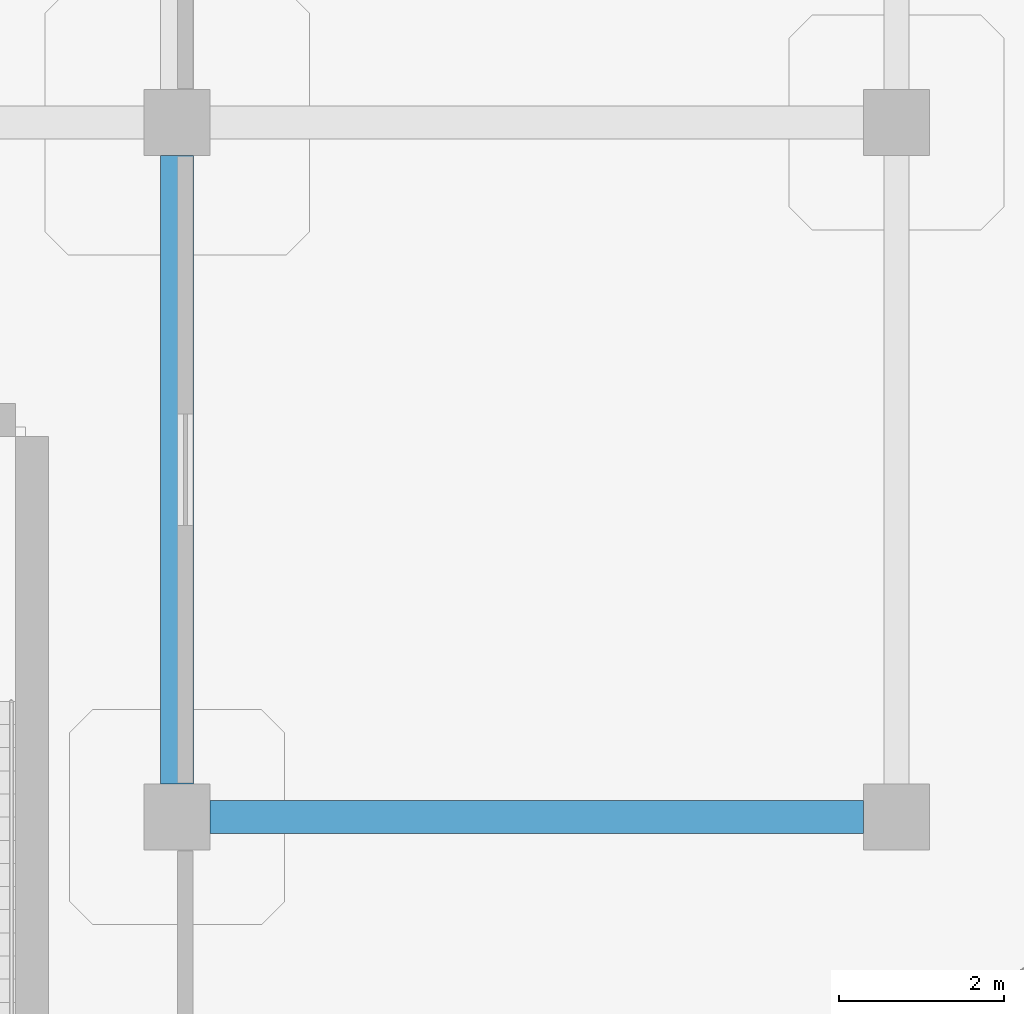
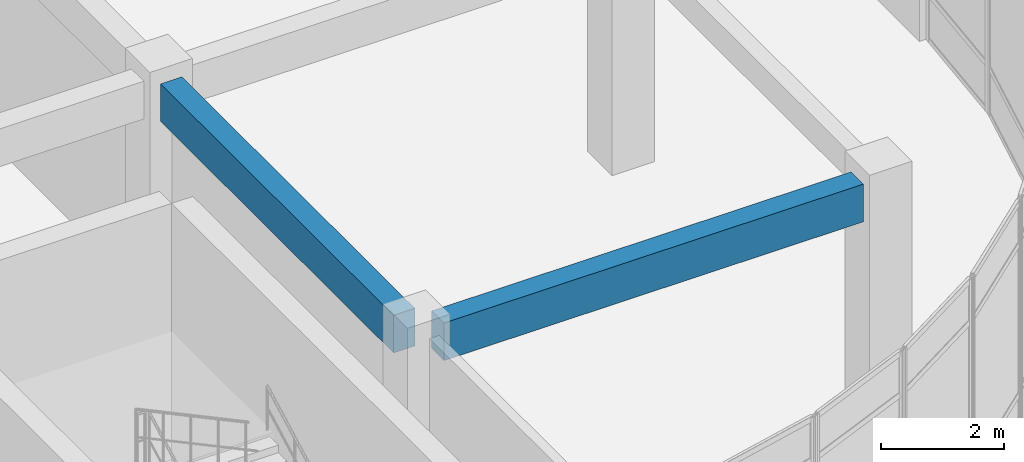
# One storey, part 72 of 124: 2 beams.
"""IFC4 building model written with IfcOpenShell, lengths in metres."""

from ifc_helpers import new_model, si_unit, derived_unit, direction, frame, origin, origin_2d, place, context, subcontext, project, spatial, rectangle, extrude, material, material_profile, profile_set, type_object, element, save


model = new_model("IFC4")

# Units and contexts
model_context = context("Model", 3, precision=1e-05, world=origin(), true_north=direction((0.0, 1.0)))
body_context = subcontext(model_context, "Body", "Model", "MODEL_VIEW")
ifc_project = project(units=[si_unit("LENGTHUNIT", "METRE"), si_unit("AREAUNIT", "SQUARE_METRE"), si_unit("VOLUMEUNIT", "CUBIC_METRE"), si_unit("PLANEANGLEUNIT", "RADIAN"), si_unit("MASSUNIT", "GRAM", prefix="KILO"), derived_unit("THERMALTRANSMITTANCEUNIT", [(si_unit("MASSUNIT", "GRAM", prefix="KILO"), 1), (si_unit("TIMEUNIT", "SECOND"), -3), (si_unit("THERMODYNAMICTEMPERATUREUNIT", "KELVIN"), -1)])], contexts=[model_context])

# Site, building, storey
site_placement = place(None, origin())
site = spatial("IfcSite", under=ifc_project, at=site_placement, CompositionType="ELEMENT")
building_placement = place(site_placement, origin())
building = spatial("IfcBuilding", under=site, at=building_placement, Name="Qinzheling Arcade Emporium", CompositionType="ELEMENT")
storey_placement = place(building_placement, frame((0.0, 0.0, 16.5)))
storey = spatial("IfcBuildingStorey", under=building, at=storey_placement, Name="L04", CompositionType="ELEMENT", Elevation=16.5)

# Beams
ifc_material = material(Name="Concrete C40", Category="concrete")
ifc_material_profile = material_profile(ifc_material, rectangle(XDim=0.39990234375, YDim=0.75, at=origin_2d()), Name="RC 400x750", Category="concrete")
ifc_profile_set = profile_set([ifc_material_profile], Name="Concrete C40")
beam_type = type_object("IfcBeamType", Name="RC Interior Tie Beam 400x750 C40", PredefinedType="BEAM", material=ifc_profile_set)
beam_1_placement = place(storey_placement, frame((148.300048828125, 8.39990234375, 4.429931640625), z_axis=(1.0, 0.0, 0.0), x_axis=(0.0, 1.0, 0.0)))
element("IfcBeam", 1, at=beam_1_placement, inside=storey, type_object=beam_type, Name="Beam BM-L04-X-B-18", PredefinedType="BEAM", context=body_context, shape_type="SweptSolid", body=[
    extrude(rectangle(XDim=0.39990234375, YDim=0.75, at=origin_2d()), origin(), (0.0, 0.0, 1.0), 7.89990234375),
])
beam_2_placement = place(storey_placement, frame((147.89990234375, 8.800048828125, 4.429931640625), z_axis=(0.0, 1.0, 0.0), x_axis=(-1.0, 0.0, 0.0)))
element("IfcBeam", 2, at=beam_2_placement, inside=storey, type_object=beam_type, Name="Beam BM-L04-Y-18-B", PredefinedType="BEAM", context=body_context, shape_type="SweptSolid", body=[
    extrude(rectangle(XDim=0.39990234375, YDim=0.75, at=origin_2d()), origin(), (0.0, 0.0, 1.0), 7.599853515625),
])

save(model, "model.ifc")
